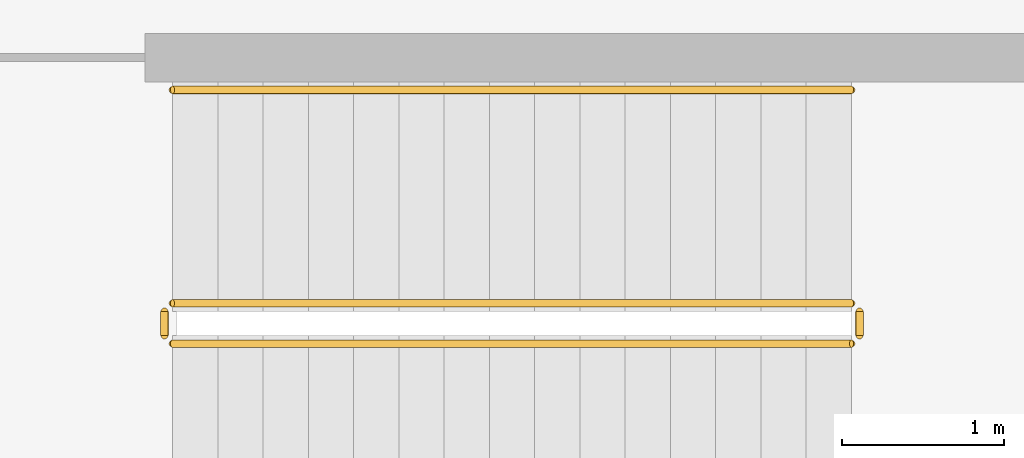
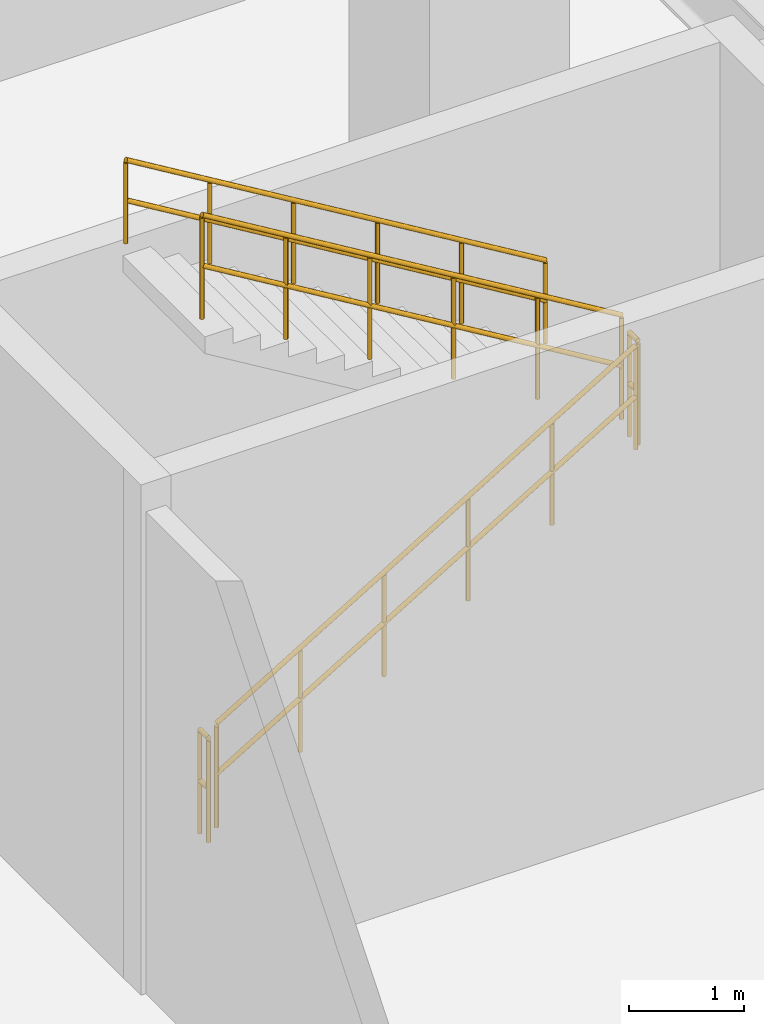
# One storey, part 14 of 18: 5 railings.
"""IFC4 building model written with IfcOpenShell, lengths in metres."""

from ifc_helpers import new_model, si_unit, direction, frame, origin, origin_2d, place, context, subcontext, project, spatial, circle, extrude, material, type_object, element, save


model = new_model("IFC4")

# Units and contexts
model_context = context("Model", 3, precision=1e-05, world=origin(), true_north=direction((0.0, 1.0)))
body_context = subcontext(model_context, "Body", "Model", "MODEL_VIEW")
ifc_project = project(units=[si_unit("LENGTHUNIT", "METRE"), si_unit("AREAUNIT", "SQUARE_METRE"), si_unit("VOLUMEUNIT", "CUBIC_METRE"), si_unit("PLANEANGLEUNIT", "RADIAN"), si_unit("MASSUNIT", "GRAM", prefix="KILO")], contexts=[model_context])

# Site, building, storey
site_placement = place(None, origin())
site = spatial("IfcSite", under=ifc_project, at=site_placement, CompositionType="ELEMENT")
building_placement = place(site_placement, origin())
building = spatial("IfcBuilding", under=site, at=building_placement, Name="Tarnavaz Court Tower", CompositionType="ELEMENT")
storey_placement = place(building_placement, origin())
storey = spatial("IfcBuildingStorey", under=building, at=storey_placement, Name="L00", CompositionType="ELEMENT", Elevation=0.0)

# Railings
ifc_material_1 = material(Name="Brushed Stainless Steel", Category="steel")
railing_type_1 = type_object("IfcRailingType", Name="RL-HANDRAIL-900", PredefinedType="HANDRAIL", material=ifc_material_1)
railing_1_placement = place(storey_placement, frame((25.320068359375, -19.760009765625, 2.86865234375)))
element("IfcRailing", 1, at=railing_1_placement, inside=storey, type_object=railing_type_1, Name="L00 ST-P1 stair handrail 2", PredefinedType="HANDRAIL", context=body_context, shape_type="SweptSolid", body=[
    extrude(circle(Radius=0.02392578125, at=origin_2d()), frame((0.0, 0.0, 0.8759765625), z_axis=(-0.856476492594, 0.0, 0.516186030065), x_axis=(0.0, -1.0, 0.0)), (0.0, 0.0, 1.0), 4.90380859375),
    extrude(circle(Radius=0.02392578125, at=origin_2d()), frame((0.0, 0.0, 0.449951171875), z_axis=(-0.856476492594, 0.0, 0.516186030065), x_axis=(0.0, -1.0, 0.0)), (0.0, 0.0, 1.0), 4.90380859375),
    extrude(circle(Radius=0.02099609375, at=origin_2d()), origin(), (0.0, 0.0, 1.0), 0.851806640625),
    extrude(circle(Radius=0.02099609375, at=origin_2d()), frame((-0.840087890625, 0.0, 0.50634765625)), (0.0, 0.0, 1.0), 0.851806640625),
    extrude(circle(Radius=0.02099609375, at=origin_2d()), frame((-1.679931640625, 0.0, 1.012451171875)), (0.0, 0.0, 1.0), 0.851806640625),
    extrude(circle(Radius=0.02099609375, at=origin_2d()), frame((-2.52001953125, 0.0, 1.518798828125)), (0.0, 0.0, 1.0), 0.851806640625),
    extrude(circle(Radius=0.02099609375, at=origin_2d()), frame((-3.35986328125, 0.0, 2.02490234375)), (0.0, 0.0, 1.0), 0.851806640625),
    extrude(circle(Radius=0.02099609375, at=origin_2d()), frame((-4.199951171875, 0.0, 2.53125)), (0.0, 0.0, 1.0), 0.851806640625),
])
ifc_material_2 = material(Name="Galvanized Painted Tubular Steel", Category="steel")
railing_type_2 = type_object("IfcRailingType", Name="RL-STGUARD-1120", PredefinedType="GUARDRAIL", material=ifc_material_2)
railing_2_placement = place(storey_placement, frame((21.1201171875, -21.330078125, 0.168701171875)))
element("IfcRailing", 2, at=railing_2_placement, inside=storey, type_object=railing_type_2, Name="L00 ST-P1 stair guard 1", PredefinedType="GUARDRAIL", context=body_context, shape_type="SweptSolid", body=[
    extrude(circle(Radius=0.02392578125, at=origin_2d()), frame((0.0, 0.0, 1.09619140625), z_axis=(0.856476492594, 0.0, 0.516186030065), x_axis=(0.0, 1.0, 0.0)), (0.0, 0.0, 1.0), 4.90380859375),
    extrude(circle(Radius=0.02392578125, at=origin_2d()), frame((0.0, 0.0, 0.56005859375), z_axis=(0.856476492594, 0.0, 0.516186030065), x_axis=(0.0, 1.0, 0.0)), (0.0, 0.0, 1.0), 4.90380859375),
    extrude(circle(Radius=0.02099609375, at=origin_2d()), origin(), (0.0, 0.0, 1.0), 1.072021484375),
    extrude(circle(Radius=0.02099609375, at=origin_2d()), frame((0.840087890625, 0.0, 0.50634765625)), (0.0, 0.0, 1.0), 1.072021484375),
    extrude(circle(Radius=0.02099609375, at=origin_2d()), frame((1.679931640625, 0.0, 1.012451171875)), (0.0, 0.0, 1.0), 1.072021484375),
    extrude(circle(Radius=0.02099609375, at=origin_2d()), frame((2.52001953125, 0.0, 1.518798828125)), (0.0, 0.0, 1.0), 1.072021484375),
    extrude(circle(Radius=0.02099609375, at=origin_2d()), frame((3.35986328125, 0.0, 2.02490234375)), (0.0, 0.0, 1.0), 1.072021484375),
    extrude(circle(Radius=0.02099609375, at=origin_2d()), frame((4.199951171875, 0.0, 2.53125)), (0.0, 0.0, 1.0), 1.072021484375),
])
railing_3_placement = place(storey_placement, frame((25.3701171875, -21.280029296875, 2.699951171875)))
element("IfcRailing", 3, at=railing_3_placement, inside=storey, type_object=railing_type_2, Name="L00 ST-P1 stair guard 2", PredefinedType="GUARDRAIL", context=body_context, shape_type="SweptSolid", body=[
    extrude(circle(Radius=0.02392578125, at=origin_2d()), frame((0.0, 0.0, 1.09619140625), z_axis=(0.0, 1.0, 0.0), x_axis=(-1.0, 0.0, 0.0)), (0.0, 0.0, 1.0), 0.150146484375),
    extrude(circle(Radius=0.02392578125, at=origin_2d()), frame((0.0, 0.0, 0.56005859375), z_axis=(0.0, 1.0, 0.0), x_axis=(-1.0, 0.0, 0.0)), (0.0, 0.0, 1.0), 0.150146484375),
    extrude(circle(Radius=0.02099609375, at=origin_2d()), origin(), (0.0, 0.0, 1.0), 1.072021484375),
    extrude(circle(Radius=0.02099609375, at=origin_2d()), frame((0.0, 0.150146484375, 0.0)), (0.0, 0.0, 1.0), 1.072021484375),
])
railing_4_placement = place(storey_placement, frame((25.320068359375, -21.080078125, 2.86865234375)))
element("IfcRailing", 4, at=railing_4_placement, inside=storey, type_object=railing_type_2, Name="L00 ST-P1 stair guard 3", PredefinedType="GUARDRAIL", context=body_context, shape_type="SweptSolid", body=[
    extrude(circle(Radius=0.02392578125, at=origin_2d()), frame((0.0, 0.0, 1.09619140625), z_axis=(-0.856476492594, 0.0, 0.516186030065), x_axis=(0.0, -1.0, 0.0)), (0.0, 0.0, 1.0), 4.90380859375),
    extrude(circle(Radius=0.02392578125, at=origin_2d()), frame((0.0, 0.0, 0.56005859375), z_axis=(-0.856476492594, 0.0, 0.516186030065), x_axis=(0.0, -1.0, 0.0)), (0.0, 0.0, 1.0), 4.90380859375),
    extrude(circle(Radius=0.02099609375, at=origin_2d()), origin(), (0.0, 0.0, 1.0), 1.072021484375),
    extrude(circle(Radius=0.02099609375, at=origin_2d()), frame((-0.840087890625, 0.0, 0.50634765625)), (0.0, 0.0, 1.0), 1.072021484375),
    extrude(circle(Radius=0.02099609375, at=origin_2d()), frame((-1.679931640625, 0.0, 1.012451171875)), (0.0, 0.0, 1.0), 1.072021484375),
    extrude(circle(Radius=0.02099609375, at=origin_2d()), frame((-2.52001953125, 0.0, 1.518798828125)), (0.0, 0.0, 1.0), 1.072021484375),
    extrude(circle(Radius=0.02099609375, at=origin_2d()), frame((-3.35986328125, 0.0, 2.02490234375)), (0.0, 0.0, 1.0), 1.072021484375),
    extrude(circle(Radius=0.02099609375, at=origin_2d()), frame((-4.199951171875, 0.0, 2.53125)), (0.0, 0.0, 1.0), 1.072021484375),
])
railing_5_placement = place(storey_placement, frame((21.070068359375, -21.280029296875, 0.0)))
element("IfcRailing", 5, at=railing_5_placement, inside=storey, type_object=railing_type_2, Name="L00 ST-P1 stair guard 4", PredefinedType="GUARDRAIL", context=body_context, shape_type="SweptSolid", body=[
    extrude(circle(Radius=0.02392578125, at=origin_2d()), frame((0.0, 0.0, 1.09619140625), z_axis=(0.0, 1.0, 0.0), x_axis=(-1.0, 0.0, 0.0)), (0.0, 0.0, 1.0), 0.150146484375),
    extrude(circle(Radius=0.02392578125, at=origin_2d()), frame((0.0, 0.0, 0.56005859375), z_axis=(0.0, 1.0, 0.0), x_axis=(-1.0, 0.0, 0.0)), (0.0, 0.0, 1.0), 0.150146484375),
    extrude(circle(Radius=0.02099609375, at=origin_2d()), origin(), (0.0, 0.0, 1.0), 1.072021484375),
    extrude(circle(Radius=0.02099609375, at=origin_2d()), frame((0.0, 0.150146484375, 0.0)), (0.0, 0.0, 1.0), 1.072021484375),
])

save(model, "model.ifc")
